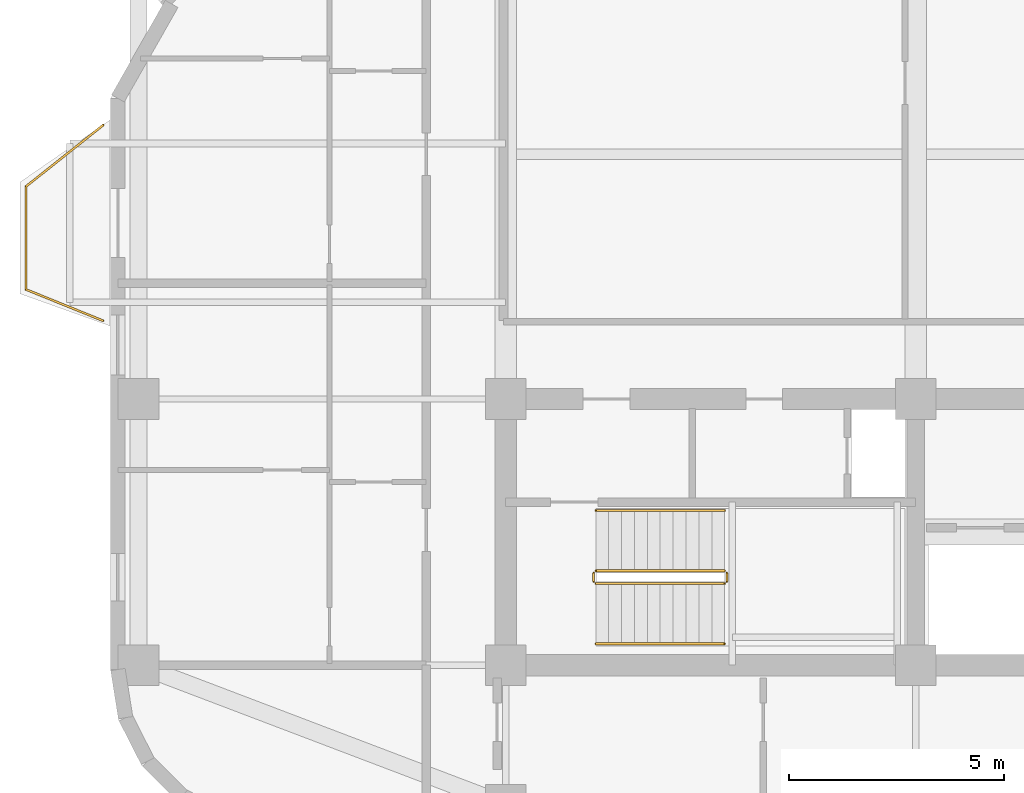
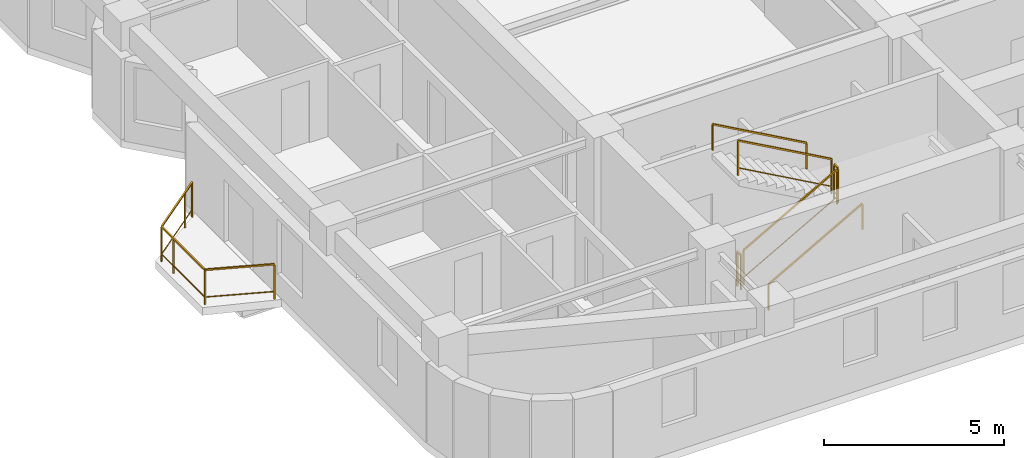
# One storey, part 8 of 9: 7 railings.
"""IFC4 building model written with IfcOpenShell, lengths in metres."""

from ifc_helpers import new_model, si_unit, direction, frame, origin, origin_2d, place, context, subcontext, project, spatial, rectangle, extrude, material, type_object, element, save


model = new_model("IFC4")

# Units and contexts
model_context = context("Model", 3, precision=1e-05, world=origin(), true_north=direction((0.0, 1.0)))
body_context = subcontext(model_context, "Body", "Model", "MODEL_VIEW")
ifc_project = project(units=[si_unit("LENGTHUNIT", "METRE"), si_unit("AREAUNIT", "SQUARE_METRE"), si_unit("VOLUMEUNIT", "CUBIC_METRE"), si_unit("PLANEANGLEUNIT", "RADIAN"), si_unit("MASSUNIT", "GRAM", prefix="KILO")], contexts=[model_context])

# Site, building, storey
site_placement = place(None, origin())
site = spatial("IfcSite", under=ifc_project, at=site_placement, CompositionType="ELEMENT")
building_placement = place(site_placement, origin())
building = spatial("IfcBuilding", under=site, at=building_placement, Name="Svetorya Sky Lyceum", CompositionType="ELEMENT")
storey_placement = place(building_placement, frame((0.0, 0.0, 173.699951171875)))
storey = spatial("IfcBuildingStorey", under=building, at=storey_placement, Name="L43", CompositionType="ELEMENT", Elevation=173.699951171875)

# Railings
ifc_material_1 = material(Name="Laminated safety glass and stainless AISI 316", Category="glass")
railing_type_1 = type_object("IfcRailingType", Name="RL-BAL-1200", PredefinedType="BALUSTRADE", material=ifc_material_1)
railing_1_placement = place(storey_placement, frame((16.22998046875, 18.6201171875, 0.0)))
element("IfcRailing", 1, at=railing_1_placement, inside=storey, type_object=railing_type_1, Name="L43 Balcony Balustrade BAL-W1", PredefinedType="BALUSTRADE", context=body_context, shape_type="SweptSolid", body=[
    extrude(rectangle(XDim=0.048095703125, YDim=0.048095703125, at=origin_2d()), frame((0.0, 0.0, 1.17578125), z_axis=(-0.926697865975, 0.375807218129, 0.0), x_axis=(-0.375807218129, -0.926697865975, 0.0)), (0.0, 0.0, 1.0), 1.9423828125),
    extrude(rectangle(XDim=0.02392578125, YDim=0.02392578125, at=origin_2d()), frame((0.0, 0.0, 0.25), z_axis=(-0.926697865975, 0.375807218129, 0.0), x_axis=(-0.375807218129, -0.926697865975, 0.0)), (0.0, 0.0, 1.0), 1.9423828125),
    extrude(rectangle(XDim=0.048095703125, YDim=0.048095703125, at=origin_2d()), frame((-1.800048828125, 0.72998046875, 1.17578125), z_axis=(0.0, 1.0, 0.0), x_axis=(-1.0, 0.0, 0.0)), (0.0, 0.0, 1.0), 2.39990234375),
    extrude(rectangle(XDim=0.02392578125, YDim=0.02392578125, at=origin_2d()), frame((-1.800048828125, 0.72998046875, 0.25), z_axis=(0.0, 1.0, 0.0), x_axis=(-1.0, 0.0, 0.0)), (0.0, 0.0, 1.0), 2.39990234375),
    extrude(rectangle(XDim=0.048095703125, YDim=0.048095703125, at=origin_2d()), frame((-1.800048828125, 3.1298828125, 1.17578125), z_axis=(0.783008919264, 0.622010476079, 0.0), x_axis=(-0.622010476079, 0.783008919264, 0.0)), (0.0, 0.0, 1.0), 2.298828125),
    extrude(rectangle(XDim=0.02392578125, YDim=0.02392578125, at=origin_2d()), frame((-1.800048828125, 3.1298828125, 0.25), z_axis=(0.783008919264, 0.622010476079, 0.0), x_axis=(-0.622010476079, 0.783008919264, 0.0)), (0.0, 0.0, 1.0), 2.298828125),
    extrude(rectangle(XDim=0.0419921875, YDim=0.0419921875, at=origin_2d()), origin(), (0.0, 0.0, 1.0), 1.15185546875),
    extrude(rectangle(XDim=0.0419921875, YDim=0.0419921875, at=origin_2d()), frame((-1.800048828125, 0.72998046875, 0.0)), (0.0, 0.0, 1.0), 1.15185546875),
    extrude(rectangle(XDim=0.0419921875, YDim=0.0419921875, at=origin_2d()), frame((-1.800048828125, 2.47998046875, 0.0)), (0.0, 0.0, 1.0), 1.15185546875),
    extrude(rectangle(XDim=0.0419921875, YDim=0.0419921875, at=origin_2d()), frame((-1.800048828125, 3.1298828125, 0.0)), (0.0, 0.0, 1.0), 1.15185546875),
    extrude(rectangle(XDim=0.0419921875, YDim=0.0419921875, at=origin_2d()), frame((-0.4296875, 4.218505859375, 0.0)), (0.0, 0.0, 1.0), 1.15185546875),
    extrude(rectangle(XDim=0.0419921875, YDim=0.0419921875, at=origin_2d()), frame((0.0, 4.559814453125, 0.0)), (0.0, 0.0, 1.0), 1.15185546875),
])
ifc_material_2 = material(Name="Painted galvanized stair well guard")
railing_type_2 = type_object("IfcRailingType", Name="RL-STR-GUARD-1200", PredefinedType="GUARDRAIL", material=ifc_material_2)
railing_2_placement = place(storey_placement, frame((27.699951171875, 12.5, 0.168212890625)))
element("IfcRailing", 2, at=railing_2_placement, inside=storey, type_object=railing_type_2, Name="L43 ST-S stair guard 1", PredefinedType="GUARDRAIL", context=body_context, shape_type="SweptSolid", body=[
    extrude(rectangle(XDim=0.048095703125, YDim=0.048095703125, at=origin_2d()), frame((0.0, 0.0, 1.17578125), z_axis=(0.872272294576, 0.0, 0.489020494575), x_axis=(0.0, 1.0, 0.0)), (0.0, 0.0, 1.0), 3.439208984375),
    extrude(rectangle(XDim=0.02392578125, YDim=0.02392578125, at=origin_2d()), frame((0.0, 0.0, 0.25), z_axis=(0.872272294576, 0.0, 0.489020494575), x_axis=(0.0, 1.0, 0.0)), (0.0, 0.0, 1.0), 3.439208984375),
    extrude(rectangle(XDim=0.0419921875, YDim=0.0419921875, at=origin_2d()), origin(), (0.0, 0.0, 1.0), 1.15185546875),
    extrude(rectangle(XDim=0.0419921875, YDim=0.0419921875, at=origin_2d()), frame((3.0, 0.0, 1.681884765625)), (0.0, 0.0, 1.0), 1.15185546875),
])
railing_3_placement = place(storey_placement, frame((30.75, 12.550048828125, 1.85009765625)))
element("IfcRailing", 3, at=railing_3_placement, inside=storey, type_object=railing_type_2, Name="L43 ST-S stair guard 2", PredefinedType="GUARDRAIL", context=body_context, shape_type="SweptSolid", body=[
    extrude(rectangle(XDim=0.048095703125, YDim=0.048095703125, at=origin_2d()), frame((0.0, 0.0, 1.17578125), z_axis=(0.0, 1.0, 0.0), x_axis=(-1.0, 0.0, 0.0)), (0.0, 0.0, 1.0), 0.199951171875),
    extrude(rectangle(XDim=0.02392578125, YDim=0.02392578125, at=origin_2d()), frame((0.0, 0.0, 0.25), z_axis=(0.0, 1.0, 0.0), x_axis=(-1.0, 0.0, 0.0)), (0.0, 0.0, 1.0), 0.199951171875),
    extrude(rectangle(XDim=0.0419921875, YDim=0.0419921875, at=origin_2d()), origin(), (0.0, 0.0, 1.0), 1.15185546875),
    extrude(rectangle(XDim=0.0419921875, YDim=0.0419921875, at=origin_2d()), frame((0.0, 0.199951171875, 0.0)), (0.0, 0.0, 1.0), 1.15185546875),
])
railing_4_placement = place(storey_placement, frame((30.699951171875, 12.800048828125, 2.018310546875)))
element("IfcRailing", 4, at=railing_4_placement, inside=storey, type_object=railing_type_2, Name="L43 ST-S stair guard 3", PredefinedType="GUARDRAIL", context=body_context, shape_type="SweptSolid", body=[
    extrude(rectangle(XDim=0.048095703125, YDim=0.048095703125, at=origin_2d()), frame((0.0, 0.0, 1.17578125), z_axis=(-0.872302573547, 0.0, 0.488966481656), x_axis=(0.0, -1.0, 0.0)), (0.0, 0.0, 1.0), 3.439208984375),
    extrude(rectangle(XDim=0.02392578125, YDim=0.02392578125, at=origin_2d()), frame((0.0, 0.0, 0.25), z_axis=(-0.872302573547, 0.0, 0.488966481656), x_axis=(0.0, -1.0, 0.0)), (0.0, 0.0, 1.0), 3.439208984375),
    extrude(rectangle(XDim=0.0419921875, YDim=0.0419921875, at=origin_2d()), origin(), (0.0, 0.0, 1.0), 1.15185546875),
    extrude(rectangle(XDim=0.0419921875, YDim=0.0419921875, at=origin_2d()), frame((-3.0, 0.0, 1.681640625)), (0.0, 0.0, 1.0), 1.15185546875),
])
railing_5_placement = place(storey_placement, frame((27.64990234375, 12.550048828125, 0.0)))
element("IfcRailing", 5, at=railing_5_placement, inside=storey, type_object=railing_type_2, Name="L43 ST-S stair guard 4", PredefinedType="GUARDRAIL", context=body_context, shape_type="SweptSolid", body=[
    extrude(rectangle(XDim=0.048095703125, YDim=0.048095703125, at=origin_2d()), frame((0.0, 0.0, 1.17578125), z_axis=(0.0, 1.0, 0.0), x_axis=(-1.0, 0.0, 0.0)), (0.0, 0.0, 1.0), 0.199951171875),
    extrude(rectangle(XDim=0.02392578125, YDim=0.02392578125, at=origin_2d()), frame((0.0, 0.0, 0.25), z_axis=(0.0, 1.0, 0.0), x_axis=(-1.0, 0.0, 0.0)), (0.0, 0.0, 1.0), 0.199951171875),
    extrude(rectangle(XDim=0.0419921875, YDim=0.0419921875, at=origin_2d()), origin(), (0.0, 0.0, 1.0), 1.15185546875),
    extrude(rectangle(XDim=0.0419921875, YDim=0.0419921875, at=origin_2d()), frame((0.0, 0.199951171875, 0.0)), (0.0, 0.0, 1.0), 1.15185546875),
])
ifc_material_3 = material(Name="Brushed stainless AISI 304 stair handrail")
railing_type_3 = type_object("IfcRailingType", Name="RL-STR-HAND-920", PredefinedType="HANDRAIL", material=ifc_material_3)
railing_6_placement = place(storey_placement, frame((27.699951171875, 11.10009765625, 0.168212890625)))
element("IfcRailing", 6, at=railing_6_placement, inside=storey, type_object=railing_type_3, Name="L43 ST-S stair handrail 1", PredefinedType="HANDRAIL", context=body_context, shape_type="SweptSolid", body=[
    extrude(rectangle(XDim=0.048095703125, YDim=0.048095703125, at=origin_2d()), frame((0.0, 0.0, 0.8759765625), z_axis=(0.872272294576, 0.0, 0.489020494575), x_axis=(0.0, 1.0, 0.0)), (0.0, 0.0, 1.0), 3.439208984375),
    extrude(rectangle(XDim=0.0419921875, YDim=0.0419921875, at=origin_2d()), origin(), (0.0, 0.0, 1.0), 0.851806640625),
    extrude(rectangle(XDim=0.0419921875, YDim=0.0419921875, at=origin_2d()), frame((3.0, 0.0, 1.681884765625)), (0.0, 0.0, 1.0), 0.851806640625),
])
railing_7_placement = place(storey_placement, frame((30.699951171875, 14.199951171875, 2.018310546875)))
element("IfcRailing", 7, at=railing_7_placement, inside=storey, type_object=railing_type_3, Name="L43 ST-S stair handrail 2", PredefinedType="HANDRAIL", context=body_context, shape_type="SweptSolid", body=[
    extrude(rectangle(XDim=0.048095703125, YDim=0.048095703125, at=origin_2d()), frame((0.0, 0.0, 0.8759765625), z_axis=(-0.872302573547, 0.0, 0.488966481656), x_axis=(0.0, -1.0, 0.0)), (0.0, 0.0, 1.0), 3.439208984375),
    extrude(rectangle(XDim=0.0419921875, YDim=0.0419921875, at=origin_2d()), origin(), (0.0, 0.0, 1.0), 0.851806640625),
    extrude(rectangle(XDim=0.0419921875, YDim=0.0419921875, at=origin_2d()), frame((-3.0, 0.0, 1.681640625)), (0.0, 0.0, 1.0), 0.851806640625),
])

save(model, "model.ifc")
